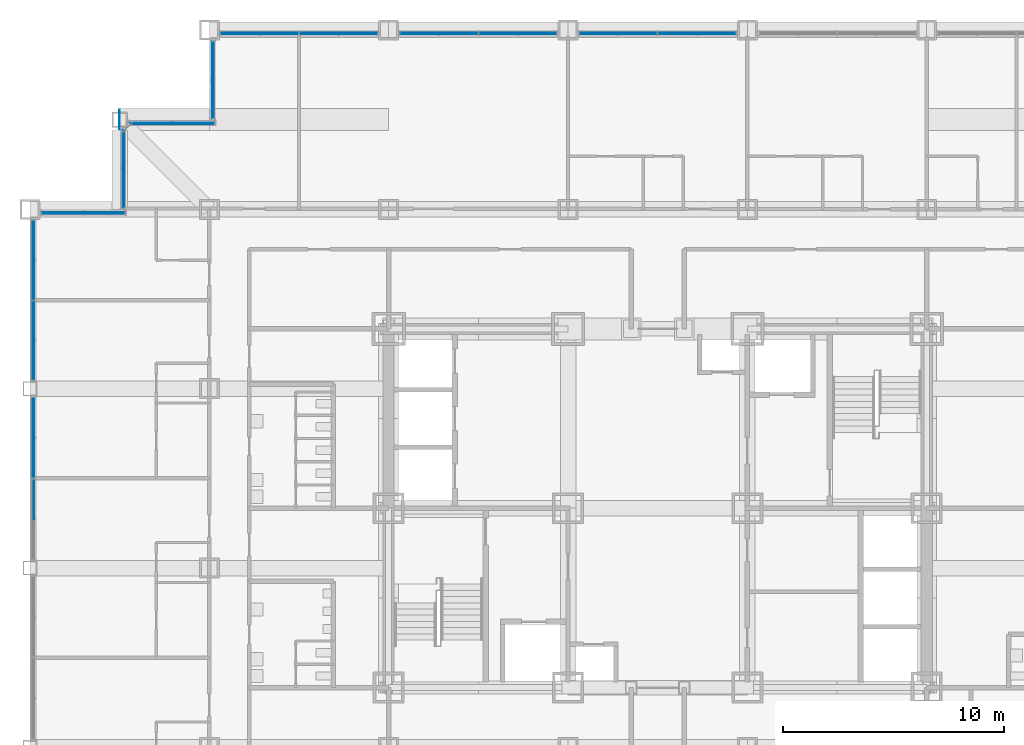
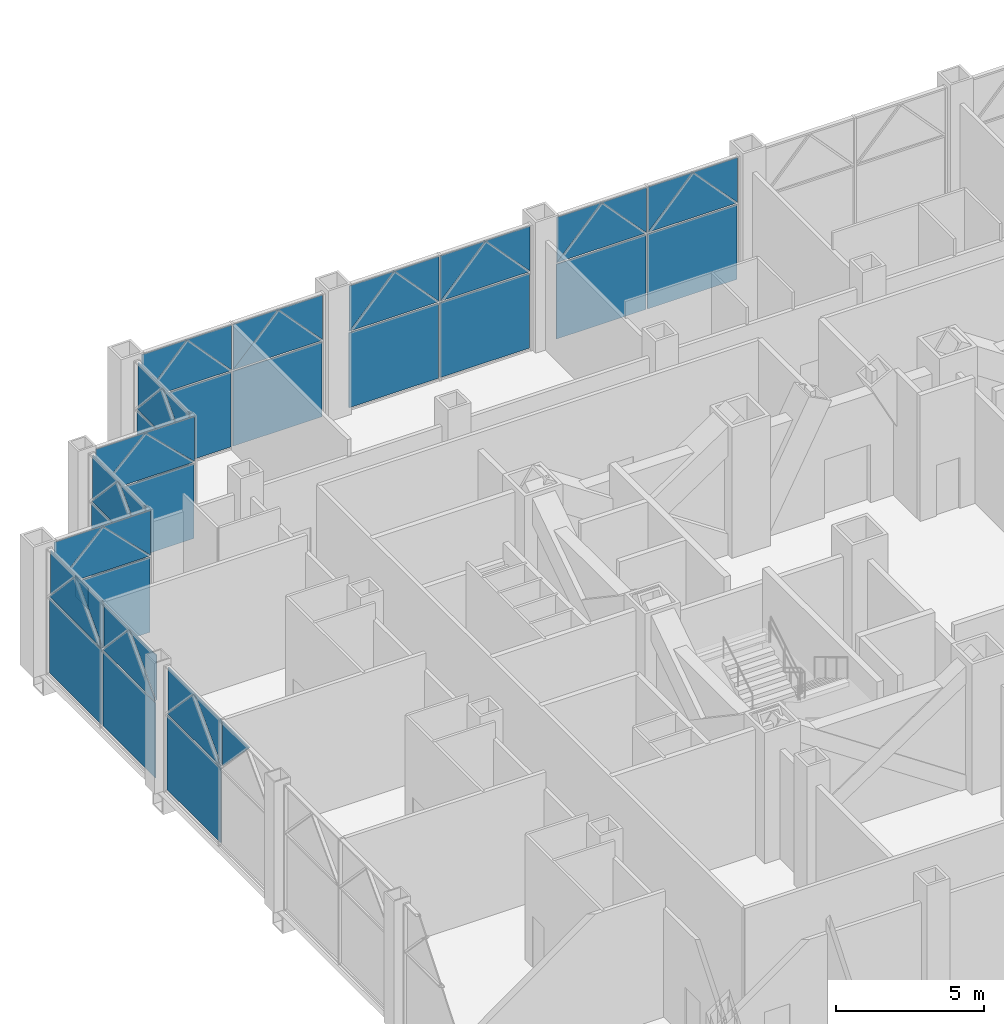
# One storey, part 13 of 26: 54 plates, 9 elements without a shape of their own.
"""IFC4 building model written with IfcOpenShell, lengths in metres."""

from ifc_helpers import new_model, si_unit, direction, frame, origin, origin_2d, place, context, subcontext, project, spatial, polyline, rectangle, outline, extrude, material, layer, layer_set, type_object, element, aggregate, save


model = new_model("IFC4")

# Units and contexts
model_context = context("Model", 3, precision=1e-05, world=origin(), true_north=direction((0.0, 1.0)))
body_context = subcontext(model_context, "Body", "Model", "MODEL_VIEW")
ifc_project = project(units=[si_unit("LENGTHUNIT", "METRE"), si_unit("AREAUNIT", "SQUARE_METRE"), si_unit("VOLUMEUNIT", "CUBIC_METRE"), si_unit("PLANEANGLEUNIT", "RADIAN"), si_unit("MASSUNIT", "GRAM", prefix="KILO")], contexts=[model_context])

# Site, building, storey
site_placement = place(None, origin())
site = spatial("IfcSite", under=ifc_project, at=site_placement, CompositionType="ELEMENT")
building_placement = place(site_placement, origin())
building = spatial("IfcBuilding", under=site, at=building_placement, Name="Kopane Lantern Tower", CompositionType="ELEMENT")
storey_placement = place(building_placement, frame((0.0, 0.0, 98.0)))
storey = spatial("IfcBuildingStorey", under=building, at=storey_placement, Name="L24", CompositionType="ELEMENT", Elevation=98.0)

# Curtain wall, plates
ifc_material_1 = material(Name="Aluminium and clear glass", Category="aluminium")
curtain_wall_type = type_object("IfcCurtainWallType", Name="CURTAIN WALL CW3 SKY LOBBY", PredefinedType="USERDEFINED", material=ifc_material_1)
curtain_wall_1_placement = place(storey_placement, origin())
curtain_wall_1 = element("IfcCurtainWall", 1, at=curtain_wall_1_placement, inside=storey, type_object=curtain_wall_type, Name="Curtain wall CW3 N L24", ObjectType="CURTAIN WALL", PredefinedType="USERDEFINED")
ifc_material_2 = material(Name="Insulated clear glass unit", Category="glass")
ifc_layer_1 = layer(ifc_material_2, 0.033935546875)
ifc_layer_set_1 = layer_set([ifc_layer_1], Name="CURTAIN PANEL CW3-P 34")
plate_type_1 = type_object("IfcPlateType", Name="CURTAIN PANEL CW3-P 34", PredefinedType="CURTAIN_PANEL", material=ifc_layer_set_1)
plate_1_placement = place(storey_placement, frame((30.1298828125, 53.85009765625, 0.070068359375), z_axis=(0.0, 0.0, 1.0), x_axis=(-1.0, 0.0, 0.0)))
plate_1 = element("IfcPlate", 2, at=plate_1_placement, type_object=plate_type_1, Name="CW3 panel 1.1", PredefinedType="CURTAIN_PANEL", context=body_context, shape_type="SweptSolid", body=[
    extrude(rectangle(XDim=3.489990234375, YDim=0.033935546875, at=origin_2d()), origin(), (0.0, 0.0, 1.0), 3.0849609375),
])
plate_2_placement = place(storey_placement, frame((26.570068359375, 53.85009765625, 0.070068359375), z_axis=(0.0, 0.0, 1.0), x_axis=(-1.0, 0.0, 0.0)))
plate_2 = element("IfcPlate", 3, at=plate_2_placement, type_object=plate_type_1, Name="CW3 panel 2.1", PredefinedType="CURTAIN_PANEL", context=body_context, shape_type="SweptSolid", body=[
    extrude(rectangle(XDim=3.489990234375, YDim=0.033935546875, at=origin_2d()), origin(), (0.0, 0.0, 1.0), 3.0849609375),
])
plate_3_placement = place(storey_placement, frame((31.875, 53.85009765625, 3.22509765625), z_axis=(0.0, 0.0, 1.0), x_axis=(-1.0, 0.0, 0.0)))
plate_3 = element("IfcPlate", 4, at=plate_3_placement, type_object=plate_type_1, Name="CW3 lancet panel 1", PredefinedType="CURTAIN_PANEL", context=body_context, shape_type="SweptSolid", body=[
    extrude(outline(polyline([(0.0, 0.0), (3.489990234375, 0.0), (3.489990234375, 0.0009765625), (1.7451171875, 1.90380859375), (0.0, 0.0009765625), (0.0, 0.0)])), frame((0.0, 0.01708984375, 0.0), z_axis=(0.0, -1.0, 0.0), x_axis=(1.0, 0.0, 0.0)), (0.0, 0.0, 1.0), 0.033935546875),
])
plate_4_placement = place(storey_placement, frame((31.875, 53.81396484375, 5.1201171875), z_axis=(0.0, 0.0, 1.0), x_axis=(-1.0, 0.0, 0.0)))
plate_4 = element("IfcPlate", 5, at=plate_4_placement, type_object=plate_type_1, Name="CW3 spandrel panel 1L", PredefinedType="CURTAIN_PANEL", context=body_context, shape_type="SweptSolid", body=[
    extrude(outline(polyline([(0.0, 0.0), (1.7451171875, 0.0), (1.7451171875, -0.001220703125), (0.0, -1.847900390625), (0.0, 0.0)])), frame((0.0, 0.01708984375, 0.0), z_axis=(0.0, -1.0, 0.0), x_axis=(1.0, 0.0, 0.0)), (0.0, 0.0, 1.0), 0.033935546875),
])
plate_5_placement = place(storey_placement, frame((28.385009765625, 53.81396484375, 5.1201171875), z_axis=(0.0, 0.0, 1.0), x_axis=(1.0, 0.0, 0.0)))
plate_5 = element("IfcPlate", 6, at=plate_5_placement, type_object=plate_type_1, Name="CW3 spandrel panel 1R", PredefinedType="CURTAIN_PANEL", context=body_context, shape_type="SweptSolid", body=[
    extrude(outline(polyline([(0.0, 0.0), (1.744873046875, 0.0), (1.7451171875, -0.001220703125), (0.0, -1.847900390625), (0.0, 0.0)])), frame((0.0, 0.01708984375, 0.0), z_axis=(0.0, -1.0, 0.0), x_axis=(1.0, 0.0, 0.0)), (0.0, 0.0, 1.0), 0.033935546875),
])
plate_6_placement = place(storey_placement, frame((28.31494140625, 53.85009765625, 3.22509765625), z_axis=(0.0, 0.0, 1.0), x_axis=(-1.0, 0.0, 0.0)))
plate_6 = element("IfcPlate", 7, at=plate_6_placement, type_object=plate_type_1, Name="CW3 lancet panel 2", PredefinedType="CURTAIN_PANEL", context=body_context, shape_type="SweptSolid", body=[
    extrude(outline(polyline([(0.0, 0.0), (3.489990234375, 0.0), (3.489990234375, 0.0009765625), (1.7451171875, 1.90380859375), (0.0, 0.0009765625), (0.0, 0.0)])), frame((0.0, 0.01708984375, 0.0), z_axis=(0.0, -1.0, 0.0), x_axis=(1.0, 0.0, 0.0)), (0.0, 0.0, 1.0), 0.033935546875),
])
plate_7_placement = place(storey_placement, frame((28.31494140625, 53.81396484375, 5.1201171875), z_axis=(0.0, 0.0, 1.0), x_axis=(-1.0, 0.0, 0.0)))
plate_7 = element("IfcPlate", 8, at=plate_7_placement, type_object=plate_type_1, Name="CW3 spandrel panel 2L", PredefinedType="CURTAIN_PANEL", context=body_context, shape_type="SweptSolid", body=[
    extrude(outline(polyline([(0.0, 0.0), (1.744873046875, 0.0), (1.7451171875, -0.001220703125), (0.0, -1.847900390625), (0.0, 0.0)])), frame((0.0, 0.01708984375, 0.0), z_axis=(0.0, -1.0, 0.0), x_axis=(1.0, 0.0, 0.0)), (0.0, 0.0, 1.0), 0.033935546875),
])
plate_8_placement = place(storey_placement, frame((24.824951171875, 53.81396484375, 5.1201171875), z_axis=(0.0, 0.0, 1.0), x_axis=(1.0, 0.0, 0.0)))
plate_8 = element("IfcPlate", 9, at=plate_8_placement, type_object=plate_type_1, Name="CW3 spandrel panel 2R", PredefinedType="CURTAIN_PANEL", context=body_context, shape_type="SweptSolid", body=[
    extrude(outline(polyline([(0.0, 0.0), (1.7451171875, 0.0), (1.7451171875, -0.001220703125), (0.0, -1.847900390625), (0.0, 0.0)])), frame((0.0, 0.01708984375, 0.0), z_axis=(0.0, -1.0, 0.0), x_axis=(1.0, 0.0, 0.0)), (0.0, 0.0, 1.0), 0.033935546875),
])
aggregate(curtain_wall_1, [plate_1, plate_2, plate_3, plate_4, plate_5, plate_6, plate_7, plate_8])

curtain_wall_2_placement = place(storey_placement, origin())
curtain_wall_2 = element("IfcCurtainWall", 10, at=curtain_wall_2_placement, inside=storey, type_object=curtain_wall_type, Name="Curtain wall CW3 N L24", ObjectType="CURTAIN WALL", PredefinedType="USERDEFINED")
plate_9_placement = place(storey_placement, frame((22.030029296875, 53.85009765625, 0.070068359375), z_axis=(0.0, 0.0, 1.0), x_axis=(-1.0, 0.0, 0.0)))
plate_9 = element("IfcPlate", 11, at=plate_9_placement, type_object=plate_type_1, Name="CW3 panel 1.1", PredefinedType="CURTAIN_PANEL", context=body_context, shape_type="SweptSolid", body=[
    extrude(rectangle(XDim=3.489990234375, YDim=0.033935546875, at=origin_2d()), origin(), (0.0, 0.0, 1.0), 3.0849609375),
])
plate_10_placement = place(storey_placement, frame((18.469970703125, 53.85009765625, 0.070068359375), z_axis=(0.0, 0.0, 1.0), x_axis=(-1.0, 0.0, 0.0)))
plate_10 = element("IfcPlate", 12, at=plate_10_placement, type_object=plate_type_1, Name="CW3 panel 2.1", PredefinedType="CURTAIN_PANEL", context=body_context, shape_type="SweptSolid", body=[
    extrude(rectangle(XDim=3.489990234375, YDim=0.033935546875, at=origin_2d()), origin(), (0.0, 0.0, 1.0), 3.0849609375),
])
plate_11_placement = place(storey_placement, frame((23.77490234375, 53.85009765625, 3.22509765625), z_axis=(0.0, 0.0, 1.0), x_axis=(-1.0, 0.0, 0.0)))
plate_11 = element("IfcPlate", 13, at=plate_11_placement, type_object=plate_type_1, Name="CW3 lancet panel 1", PredefinedType="CURTAIN_PANEL", context=body_context, shape_type="SweptSolid", body=[
    extrude(outline(polyline([(0.0, 0.0), (3.489990234375, 0.0), (3.489990234375, 0.0009765625), (1.7451171875, 1.90380859375), (0.0, 0.0009765625), (0.0, 0.0)])), frame((0.0, 0.01708984375, 0.0), z_axis=(0.0, -1.0, 0.0), x_axis=(1.0, 0.0, 0.0)), (0.0, 0.0, 1.0), 0.033935546875),
])
plate_12_placement = place(storey_placement, frame((23.77490234375, 53.81396484375, 5.1201171875), z_axis=(0.0, 0.0, 1.0), x_axis=(-1.0, 0.0, 0.0)))
plate_12 = element("IfcPlate", 14, at=plate_12_placement, type_object=plate_type_1, Name="CW3 spandrel panel 1L", PredefinedType="CURTAIN_PANEL", context=body_context, shape_type="SweptSolid", body=[
    extrude(outline(polyline([(0.0, 0.0), (1.744873046875, 0.0), (1.7451171875, -0.001220703125), (0.0, -1.847900390625), (0.0, 0.0)])), frame((0.0, 0.01708984375, 0.0), z_axis=(0.0, -1.0, 0.0), x_axis=(1.0, 0.0, 0.0)), (0.0, 0.0, 1.0), 0.033935546875),
])
plate_13_placement = place(storey_placement, frame((20.284912109375, 53.81396484375, 5.1201171875), z_axis=(0.0, 0.0, 1.0), x_axis=(1.0, 0.0, 0.0)))
plate_13 = element("IfcPlate", 15, at=plate_13_placement, type_object=plate_type_1, Name="CW3 spandrel panel 1R", PredefinedType="CURTAIN_PANEL", context=body_context, shape_type="SweptSolid", body=[
    extrude(outline(polyline([(0.0, 0.0), (1.7451171875, 0.0), (1.7451171875, -0.001220703125), (0.0, -1.847900390625), (0.0, 0.0)])), frame((0.0, 0.01708984375, 0.0), z_axis=(0.0, -1.0, 0.0), x_axis=(1.0, 0.0, 0.0)), (0.0, 0.0, 1.0), 0.033935546875),
])
plate_14_placement = place(storey_placement, frame((20.215087890625, 53.85009765625, 3.22509765625), z_axis=(0.0, 0.0, 1.0), x_axis=(-1.0, 0.0, 0.0)))
plate_14 = element("IfcPlate", 16, at=plate_14_placement, type_object=plate_type_1, Name="CW3 lancet panel 2", PredefinedType="CURTAIN_PANEL", context=body_context, shape_type="SweptSolid", body=[
    extrude(outline(polyline([(0.0, 0.0), (3.489990234375, 0.0), (3.489990234375, 0.0009765625), (1.7451171875, 1.90380859375), (0.0, 0.0009765625), (0.0, 0.0)])), frame((0.0, 0.01708984375, 0.0), z_axis=(0.0, -1.0, 0.0), x_axis=(1.0, 0.0, 0.0)), (0.0, 0.0, 1.0), 0.033935546875),
])
plate_15_placement = place(storey_placement, frame((20.215087890625, 53.81396484375, 5.1201171875), z_axis=(0.0, 0.0, 1.0), x_axis=(-1.0, 0.0, 0.0)))
plate_15 = element("IfcPlate", 17, at=plate_15_placement, type_object=plate_type_1, Name="CW3 spandrel panel 2L", PredefinedType="CURTAIN_PANEL", context=body_context, shape_type="SweptSolid", body=[
    extrude(outline(polyline([(0.0, 0.0), (1.7451171875, 0.0), (1.7451171875, -0.001220703125), (0.0, -1.847900390625), (0.0, 0.0)])), frame((0.0, 0.01708984375, 0.0), z_axis=(0.0, -1.0, 0.0), x_axis=(1.0, 0.0, 0.0)), (0.0, 0.0, 1.0), 0.033935546875),
])
plate_16_placement = place(storey_placement, frame((16.72509765625, 53.81396484375, 5.1201171875), z_axis=(0.0, 0.0, 1.0), x_axis=(1.0, 0.0, 0.0)))
plate_16 = element("IfcPlate", 18, at=plate_16_placement, type_object=plate_type_1, Name="CW3 spandrel panel 2R", PredefinedType="CURTAIN_PANEL", context=body_context, shape_type="SweptSolid", body=[
    extrude(outline(polyline([(0.0, 0.0), (1.744873046875, 0.0), (1.7451171875, -0.001220703125), (0.0, -1.847900390625), (0.0, 0.0)])), frame((0.0, 0.01708984375, 0.0), z_axis=(0.0, -1.0, 0.0), x_axis=(1.0, 0.0, 0.0)), (0.0, 0.0, 1.0), 0.033935546875),
])
aggregate(curtain_wall_2, [plate_9, plate_10, plate_11, plate_12, plate_13, plate_14, plate_15, plate_16])

curtain_wall_3_placement = place(storey_placement, origin())
curtain_wall_3 = element("IfcCurtainWall", 19, at=curtain_wall_3_placement, inside=storey, type_object=curtain_wall_type, Name="Curtain wall CW3 N L24", ObjectType="CURTAIN WALL", PredefinedType="USERDEFINED")
plate_17_placement = place(storey_placement, frame((13.929931640625, 53.85009765625, 0.070068359375), z_axis=(0.0, 0.0, 1.0), x_axis=(-1.0, 0.0, 0.0)))
plate_17 = element("IfcPlate", 20, at=plate_17_placement, type_object=plate_type_1, Name="CW3 panel 1.1", PredefinedType="CURTAIN_PANEL", context=body_context, shape_type="SweptSolid", body=[
    extrude(rectangle(XDim=3.489990234375, YDim=0.033935546875, at=origin_2d()), origin(), (0.0, 0.0, 1.0), 3.0849609375),
])
plate_18_placement = place(storey_placement, frame((10.3701171875, 53.85009765625, 0.070068359375), z_axis=(0.0, 0.0, 1.0), x_axis=(-1.0, 0.0, 0.0)))
plate_18 = element("IfcPlate", 21, at=plate_18_placement, type_object=plate_type_1, Name="CW3 panel 2.1", PredefinedType="CURTAIN_PANEL", context=body_context, shape_type="SweptSolid", body=[
    extrude(rectangle(XDim=3.489990234375, YDim=0.033935546875, at=origin_2d()), origin(), (0.0, 0.0, 1.0), 3.0849609375),
])
plate_19_placement = place(storey_placement, frame((15.675048828125, 53.85009765625, 3.22509765625), z_axis=(0.0, 0.0, 1.0), x_axis=(-1.0, 0.0, 0.0)))
plate_19 = element("IfcPlate", 22, at=plate_19_placement, type_object=plate_type_1, Name="CW3 lancet panel 1", PredefinedType="CURTAIN_PANEL", context=body_context, shape_type="SweptSolid", body=[
    extrude(outline(polyline([(0.0, 0.0), (3.489990234375, 0.0), (3.489990234375, 0.0009765625), (1.7451171875, 1.90380859375), (0.0, 0.0009765625), (0.0, 0.0)])), frame((0.0, 0.01708984375, 0.0), z_axis=(0.0, -1.0, 0.0), x_axis=(1.0, 0.0, 0.0)), (0.0, 0.0, 1.0), 0.033935546875),
])
plate_20_placement = place(storey_placement, frame((15.675048828125, 53.81396484375, 5.1201171875), z_axis=(0.0, 0.0, 1.0), x_axis=(-1.0, 0.0, 0.0)))
plate_20 = element("IfcPlate", 23, at=plate_20_placement, type_object=plate_type_1, Name="CW3 spandrel panel 1L", PredefinedType="CURTAIN_PANEL", context=body_context, shape_type="SweptSolid", body=[
    extrude(outline(polyline([(0.0, 0.0), (1.7451171875, 0.0), (1.7451171875, -0.001220703125), (0.0, -1.847900390625), (0.0, 0.0)])), frame((0.0, 0.01708984375, 0.0), z_axis=(0.0, -1.0, 0.0), x_axis=(1.0, 0.0, 0.0)), (0.0, 0.0, 1.0), 0.033935546875),
])
plate_21_placement = place(storey_placement, frame((12.18505859375, 53.81396484375, 5.1201171875), z_axis=(0.0, 0.0, 1.0), x_axis=(1.0, 0.0, 0.0)))
plate_21 = element("IfcPlate", 24, at=plate_21_placement, type_object=plate_type_1, Name="CW3 spandrel panel 1R", PredefinedType="CURTAIN_PANEL", context=body_context, shape_type="SweptSolid", body=[
    extrude(outline(polyline([(0.0, 0.0), (1.744873046875, 0.0), (1.7451171875, -0.001220703125), (0.0, -1.847900390625), (0.0, 0.0)])), frame((0.0, 0.01708984375, 0.0), z_axis=(0.0, -1.0, 0.0), x_axis=(1.0, 0.0, 0.0)), (0.0, 0.0, 1.0), 0.033935546875),
])
plate_22_placement = place(storey_placement, frame((12.114990234375, 53.85009765625, 3.22509765625), z_axis=(0.0, 0.0, 1.0), x_axis=(-1.0, 0.0, 0.0)))
plate_22 = element("IfcPlate", 25, at=plate_22_placement, type_object=plate_type_1, Name="CW3 lancet panel 2", PredefinedType="CURTAIN_PANEL", context=body_context, shape_type="SweptSolid", body=[
    extrude(outline(polyline([(0.0, 0.0), (3.489990234375, 0.0), (3.489990234375, 0.0009765625), (1.7451171875, 1.90380859375), (0.0, 0.0009765625), (0.0, 0.0)])), frame((0.0, 0.01708984375, 0.0), z_axis=(0.0, -1.0, 0.0), x_axis=(1.0, 0.0, 0.0)), (0.0, 0.0, 1.0), 0.033935546875),
])
plate_23_placement = place(storey_placement, frame((12.114990234375, 53.81396484375, 5.1201171875), z_axis=(0.0, 0.0, 1.0), x_axis=(-1.0, 0.0, 0.0)))
plate_23 = element("IfcPlate", 26, at=plate_23_placement, type_object=plate_type_1, Name="CW3 spandrel panel 2L", PredefinedType="CURTAIN_PANEL", context=body_context, shape_type="SweptSolid", body=[
    extrude(outline(polyline([(0.0, 0.0), (1.744873046875, 0.0), (1.7451171875, -0.001220703125), (0.0, -1.847900390625), (0.0, 0.0)])), frame((0.0, 0.01708984375, 0.0), z_axis=(0.0, -1.0, 0.0), x_axis=(1.0, 0.0, 0.0)), (0.0, 0.0, 1.0), 0.033935546875),
])
plate_24_placement = place(storey_placement, frame((8.625, 53.81396484375, 5.1201171875), z_axis=(0.0, 0.0, 1.0), x_axis=(1.0, 0.0, 0.0)))
plate_24 = element("IfcPlate", 27, at=plate_24_placement, type_object=plate_type_1, Name="CW3 spandrel panel 2R", PredefinedType="CURTAIN_PANEL", context=body_context, shape_type="SweptSolid", body=[
    extrude(outline(polyline([(0.0, 0.0), (1.7451171875, 0.0), (1.7451171875, -0.001220703125), (0.0, -1.847900390625), (0.0, 0.0)])), frame((0.0, 0.01708984375, 0.0), z_axis=(0.0, -1.0, 0.0), x_axis=(1.0, 0.0, 0.0)), (0.0, 0.0, 1.0), 0.033935546875),
])
aggregate(curtain_wall_3, [plate_17, plate_18, plate_19, plate_20, plate_21, plate_22, plate_23, plate_24])

curtain_wall_4_placement = place(storey_placement, origin())
curtain_wall_4 = element("IfcCurtainWall", 28, at=curtain_wall_4_placement, inside=storey, type_object=curtain_wall_type, Name="Curtain wall CW3 W L24", ObjectType="CURTAIN WALL", PredefinedType="USERDEFINED")
plate_25_placement = place(storey_placement, frame((8.25, 51.74755859375, 0.070068359375), z_axis=(0.0, 0.0, 1.0), x_axis=(0.0, -1.0, 0.0)))
plate_25 = element("IfcPlate", 29, at=plate_25_placement, type_object=plate_type_1, Name="CW3 panel 1.1", PredefinedType="CURTAIN_PANEL", context=body_context, shape_type="SweptSolid", body=[
    extrude(rectangle(XDim=3.455078125, YDim=0.033935546875, at=origin_2d()), origin(), (0.0, 0.0, 1.0), 3.0849609375),
])
plate_26_placement = place(storey_placement, frame((8.25, 53.47509765625, 3.22509765625), z_axis=(0.0, 0.0, 1.0), x_axis=(0.0, -1.0, 0.0)))
plate_26 = element("IfcPlate", 30, at=plate_26_placement, type_object=plate_type_1, Name="CW3 lancet panel 1", PredefinedType="CURTAIN_PANEL", context=body_context, shape_type="SweptSolid", body=[
    extrude(outline(polyline([(0.0, 0.0), (3.455078125, 0.0), (3.455078125, 0.0009765625), (1.7275390625, 1.905029296875), (0.0, 0.0009765625), (0.0, 0.0)])), frame((0.0, 0.01708984375, 0.0), z_axis=(0.0, -1.0, 0.0), x_axis=(1.0, 0.0, 0.0)), (0.0, 0.0, 1.0), 0.033935546875),
])
plate_27_placement = place(storey_placement, frame((8.285888671875, 53.47509765625, 5.1201171875), z_axis=(0.0, 0.0, 1.0), x_axis=(0.0, -1.0, 0.0)))
plate_27 = element("IfcPlate", 31, at=plate_27_placement, type_object=plate_type_1, Name="CW3 spandrel panel 1L", PredefinedType="CURTAIN_PANEL", context=body_context, shape_type="SweptSolid", body=[
    extrude(outline(polyline([(0.0, 0.0), (1.7275390625, 0.0), (1.7275390625, -0.001220703125), (0.0, -1.84814453125), (0.0, 0.0)])), frame((0.0, 0.01708984375, 0.0), z_axis=(0.0, -1.0, 0.0), x_axis=(1.0, 0.0, 0.0)), (0.0, 0.0, 1.0), 0.033935546875),
])
plate_28_placement = place(storey_placement, frame((8.285888671875, 50.02001953125, 5.1201171875), z_axis=(0.0, 0.0, 1.0), x_axis=(0.0, 1.0, 0.0)))
plate_28 = element("IfcPlate", 32, at=plate_28_placement, type_object=plate_type_1, Name="CW3 spandrel panel 1R", PredefinedType="CURTAIN_PANEL", context=body_context, shape_type="SweptSolid", body=[
    extrude(outline(polyline([(0.0, 0.0), (1.7275390625, 0.0), (1.7275390625, -0.001220703125), (0.0, -1.84814453125), (0.0, 0.0)])), frame((0.0, 0.01708984375, 0.0), z_axis=(0.0, -1.0, 0.0), x_axis=(1.0, 0.0, 0.0)), (0.0, 0.0, 1.0), 0.033935546875),
])
aggregate(curtain_wall_4, [plate_25, plate_26, plate_27, plate_28])

curtain_wall_5_placement = place(storey_placement, origin())
curtain_wall_5 = element("IfcCurtainWall", 33, at=curtain_wall_5_placement, inside=storey, type_object=curtain_wall_type, Name="Curtain wall CW3 N L24", ObjectType="CURTAIN WALL", PredefinedType="USERDEFINED")
plate_29_placement = place(storey_placement, frame((6.402587890625, 49.800048828125, 0.070068359375), z_axis=(0.0, 0.0, 1.0), x_axis=(-1.0, 0.0, 0.0)))
plate_29 = element("IfcPlate", 34, at=plate_29_placement, type_object=plate_type_1, Name="CW3 panel 1.1", PredefinedType="CURTAIN_PANEL", context=body_context, shape_type="SweptSolid", body=[
    extrude(rectangle(XDim=3.85498046875, YDim=0.033935546875, at=origin_2d()), origin(), (0.0, 0.0, 1.0), 3.0849609375),
])
plate_30_placement = place(storey_placement, frame((8.330078125, 49.800048828125, 3.22509765625), z_axis=(0.0, 0.0, 1.0), x_axis=(-1.0, 0.0, 0.0)))
plate_30 = element("IfcPlate", 35, at=plate_30_placement, type_object=plate_type_1, Name="CW3 lancet panel 1", PredefinedType="CURTAIN_PANEL", context=body_context, shape_type="SweptSolid", body=[
    extrude(outline(polyline([(0.0, 0.0), (3.85498046875, 0.0), (3.85498046875, 0.0009765625), (1.927490234375, 1.89306640625), (0.0, 0.0009765625), (0.0, 0.0)])), frame((0.0, 0.01708984375, 0.0), z_axis=(0.0, -1.0, 0.0), x_axis=(1.0, 0.0, 0.0)), (0.0, 0.0, 1.0), 0.033935546875),
])
plate_31_placement = place(storey_placement, frame((8.330078125, 49.763916015625, 5.1201171875), z_axis=(0.0, 0.0, 1.0), x_axis=(-1.0, 0.0, 0.0)))
plate_31 = element("IfcPlate", 36, at=plate_31_placement, type_object=plate_type_1, Name="CW3 spandrel panel 1L", PredefinedType="CURTAIN_PANEL", context=body_context, shape_type="SweptSolid", body=[
    extrude(outline(polyline([(0.0, 0.0), (1.927490234375, 0.0), (1.927490234375, -0.001220703125), (0.0, -1.84521484375), (0.0, 0.0)])), frame((0.0, 0.01708984375, 0.0), z_axis=(0.0, -1.0, 0.0), x_axis=(1.0, 0.0, 0.0)), (0.0, 0.0, 1.0), 0.033935546875),
])
plate_32_placement = place(storey_placement, frame((4.47509765625, 49.763916015625, 5.1201171875), z_axis=(0.0, 0.0, 1.0), x_axis=(1.0, 0.0, 0.0)))
plate_32 = element("IfcPlate", 37, at=plate_32_placement, type_object=plate_type_1, Name="CW3 spandrel panel 1R", PredefinedType="CURTAIN_PANEL", context=body_context, shape_type="SweptSolid", body=[
    extrude(outline(polyline([(0.0, 0.0), (1.927490234375, 0.0), (1.927490234375, -0.001220703125), (0.0, -1.84521484375), (0.0, 0.0)])), frame((0.0, 0.01708984375, 0.0), z_axis=(0.0, -1.0, 0.0), x_axis=(1.0, 0.0, 0.0)), (0.0, 0.0, 1.0), 0.033935546875),
])
aggregate(curtain_wall_5, [plate_29, plate_30, plate_31, plate_32])

curtain_wall_6_placement = place(storey_placement, origin())
curtain_wall_6 = element("IfcCurtainWall", 38, at=curtain_wall_6_placement, inside=storey, type_object=curtain_wall_type, Name="Curtain wall CW3 W L24", ObjectType="CURTAIN WALL", PredefinedType="USERDEFINED")
plate_33_placement = place(storey_placement, frame((4.199951171875, 47.74755859375, 0.070068359375), z_axis=(0.0, 0.0, 1.0), x_axis=(0.0, -1.0, 0.0)))
plate_33 = element("IfcPlate", 39, at=plate_33_placement, type_object=plate_type_1, Name="CW3 panel 1.1", PredefinedType="CURTAIN_PANEL", context=body_context, shape_type="SweptSolid", body=[
    extrude(rectangle(XDim=3.554931640625, YDim=0.033935546875, at=origin_2d()), origin(), (0.0, 0.0, 1.0), 3.0849609375),
])
plate_34_placement = place(storey_placement, frame((4.199951171875, 49.52490234375, 3.22509765625), z_axis=(0.0, 0.0, 1.0), x_axis=(0.0, -1.0, 0.0)))
plate_34 = element("IfcPlate", 40, at=plate_34_placement, type_object=plate_type_1, Name="CW3 lancet panel 1", PredefinedType="CURTAIN_PANEL", context=body_context, shape_type="SweptSolid", body=[
    extrude(outline(polyline([(0.0, 0.0), (3.554931640625, 0.0), (3.554931640625, 0.0009765625), (1.777587890625, 1.90185546875), (0.0, 0.0009765625), (0.0, 0.0)])), frame((0.0, 0.01708984375, 0.0), z_axis=(0.0, -1.0, 0.0), x_axis=(1.0, 0.0, 0.0)), (0.0, 0.0, 1.0), 0.033935546875),
])
plate_35_placement = place(storey_placement, frame((4.236083984375, 49.52490234375, 5.1201171875), z_axis=(0.0, 0.0, 1.0), x_axis=(0.0, -1.0, 0.0)))
plate_35 = element("IfcPlate", 41, at=plate_35_placement, type_object=plate_type_1, Name="CW3 spandrel panel 1L", PredefinedType="CURTAIN_PANEL", context=body_context, shape_type="SweptSolid", body=[
    extrude(outline(polyline([(0.0, 0.0), (1.77734375, 0.0), (1.777587890625, -0.001220703125), (0.0, -1.847412109375), (0.0, 0.0)])), frame((0.0, 0.01708984375, 0.0), z_axis=(0.0, -1.0, 0.0), x_axis=(1.0, 0.0, 0.0)), (0.0, 0.0, 1.0), 0.033935546875),
])
plate_36_placement = place(storey_placement, frame((4.236083984375, 45.969970703125, 5.1201171875), z_axis=(0.0, 0.0, 1.0), x_axis=(0.0, 1.0, 0.0)))
plate_36 = element("IfcPlate", 42, at=plate_36_placement, type_object=plate_type_1, Name="CW3 spandrel panel 1R", PredefinedType="CURTAIN_PANEL", context=body_context, shape_type="SweptSolid", body=[
    extrude(outline(polyline([(0.0, 0.0), (1.777587890625, 0.0), (1.777587890625, -0.001220703125), (0.0, -1.847412109375), (0.0, 0.0)])), frame((0.0, 0.01708984375, 0.0), z_axis=(0.0, -1.0, 0.0), x_axis=(1.0, 0.0, 0.0)), (0.0, 0.0, 1.0), 0.033935546875),
])
aggregate(curtain_wall_6, [plate_33, plate_34, plate_35, plate_36])

curtain_wall_7_placement = place(storey_placement, origin())
curtain_wall_7 = element("IfcCurtainWall", 43, at=curtain_wall_7_placement, inside=storey, type_object=curtain_wall_type, Name="Curtain wall CW3 N L24", ObjectType="CURTAIN WALL", PredefinedType="USERDEFINED")
plate_37_placement = place(storey_placement, frame((2.402587890625, 45.75, 0.070068359375), z_axis=(0.0, 0.0, 1.0), x_axis=(-1.0, 0.0, 0.0)))
plate_37 = element("IfcPlate", 44, at=plate_37_placement, type_object=plate_type_1, Name="CW3 panel 1.1", PredefinedType="CURTAIN_PANEL", context=body_context, shape_type="SweptSolid", body=[
    extrude(rectangle(XDim=3.7548828125, YDim=0.033935546875, at=origin_2d()), origin(), (0.0, 0.0, 1.0), 3.0849609375),
])
plate_38_placement = place(storey_placement, frame((4.280029296875, 45.75, 3.22509765625), z_axis=(0.0, 0.0, 1.0), x_axis=(-1.0, 0.0, 0.0)))
plate_38 = element("IfcPlate", 45, at=plate_38_placement, type_object=plate_type_1, Name="CW3 lancet panel 1", PredefinedType="CURTAIN_PANEL", context=body_context, shape_type="SweptSolid", body=[
    extrude(outline(polyline([(0.0, 0.0), (3.755126953125, 0.0), (3.7548828125, 0.0009765625), (1.87744140625, 1.89599609375), (0.0, 0.0009765625), (0.0, 0.0)])), frame((0.0, 0.01708984375, 0.0), z_axis=(0.0, -1.0, 0.0), x_axis=(1.0, 0.0, 0.0)), (0.0, 0.0, 1.0), 0.033935546875),
])
plate_39_placement = place(storey_placement, frame((4.280029296875, 45.714111328125, 5.1201171875), z_axis=(0.0, 0.0, 1.0), x_axis=(-1.0, 0.0, 0.0)))
plate_39 = element("IfcPlate", 46, at=plate_39_placement, type_object=plate_type_1, Name="CW3 spandrel panel 1L", PredefinedType="CURTAIN_PANEL", context=body_context, shape_type="SweptSolid", body=[
    extrude(outline(polyline([(0.0, 0.0), (1.87744140625, 0.0), (1.87744140625, -0.001220703125), (0.0, -1.845703125), (0.0, 0.0)])), frame((0.0, 0.01708984375, 0.0), z_axis=(0.0, -1.0, 0.0), x_axis=(1.0, 0.0, 0.0)), (0.0, 0.0, 1.0), 0.033935546875),
])
plate_40_placement = place(storey_placement, frame((0.52490234375, 45.714111328125, 5.1201171875), z_axis=(0.0, 0.0, 1.0), x_axis=(1.0, 0.0, 0.0)))
plate_40 = element("IfcPlate", 47, at=plate_40_placement, type_object=plate_type_1, Name="CW3 spandrel panel 1R", PredefinedType="CURTAIN_PANEL", context=body_context, shape_type="SweptSolid", body=[
    extrude(outline(polyline([(0.0, 0.0), (1.877685546875, 0.0), (1.87744140625, -0.001220703125), (0.0, -1.845703125), (0.0, 0.0)])), frame((0.0, 0.01708984375, 0.0), z_axis=(0.0, -1.0, 0.0), x_axis=(1.0, 0.0, 0.0)), (0.0, 0.0, 1.0), 0.033935546875),
])
aggregate(curtain_wall_7, [plate_37, plate_38, plate_39, plate_40])

curtain_wall_8_placement = place(storey_placement, origin())
curtain_wall_8 = element("IfcCurtainWall", 48, at=curtain_wall_8_placement, inside=storey, type_object=curtain_wall_type, Name="Curtain wall CW3 W L24", ObjectType="CURTAIN WALL", PredefinedType="USERDEFINED")
plate_41_placement = place(storey_placement, frame((0.14990234375, 43.5986328125, 0.070068359375), z_axis=(0.0, 0.0, 1.0), x_axis=(0.0, -1.0, 0.0)))
plate_41 = element("IfcPlate", 49, at=plate_41_placement, type_object=plate_type_1, Name="CW3 panel 1.1", PredefinedType="CURTAIN_PANEL", context=body_context, shape_type="SweptSolid", body=[
    extrude(rectangle(XDim=3.552490234375, YDim=0.033935546875, at=origin_2d()), origin(), (0.0, 0.0, 1.0), 3.0849609375),
])
plate_42_placement = place(storey_placement, frame((0.14990234375, 39.976318359375, 0.070068359375), z_axis=(0.0, 0.0, 1.0), x_axis=(0.0, -1.0, 0.0)))
plate_42 = element("IfcPlate", 50, at=plate_42_placement, type_object=plate_type_1, Name="CW3 panel 2.1", PredefinedType="CURTAIN_PANEL", context=body_context, shape_type="SweptSolid", body=[
    extrude(rectangle(XDim=3.552490234375, YDim=0.033935546875, at=origin_2d()), origin(), (0.0, 0.0, 1.0), 3.0849609375),
])
plate_43_placement = place(storey_placement, frame((0.14990234375, 45.375, 3.22509765625), z_axis=(0.0, 0.0, 1.0), x_axis=(0.0, -1.0, 0.0)))
plate_43 = element("IfcPlate", 51, at=plate_43_placement, type_object=plate_type_1, Name="CW3 lancet panel 1", PredefinedType="CURTAIN_PANEL", context=body_context, shape_type="SweptSolid", body=[
    extrude(outline(polyline([(0.0, 0.0), (3.552490234375, 0.0), (3.552490234375, 0.0009765625), (1.776123046875, 1.90185546875), (0.0, 0.0009765625), (0.0, 0.0)])), frame((0.0, 0.01708984375, 0.0), z_axis=(0.0, -1.0, 0.0), x_axis=(1.0, 0.0, 0.0)), (0.0, 0.0, 1.0), 0.033935546875),
])
plate_44_placement = place(storey_placement, frame((0.18603515625, 45.375, 5.1201171875), z_axis=(0.0, 0.0, 1.0), x_axis=(0.0, -1.0, 0.0)))
plate_44 = element("IfcPlate", 52, at=plate_44_placement, type_object=plate_type_1, Name="CW3 spandrel panel 1L", PredefinedType="CURTAIN_PANEL", context=body_context, shape_type="SweptSolid", body=[
    extrude(outline(polyline([(0.0, 0.0), (1.776123046875, 0.0), (1.776123046875, -0.001220703125), (0.0, -1.847412109375), (0.0, 0.0)])), frame((0.0, 0.01708984375, 0.0), z_axis=(0.0, -1.0, 0.0), x_axis=(1.0, 0.0, 0.0)), (0.0, 0.0, 1.0), 0.033935546875),
])
plate_45_placement = place(storey_placement, frame((0.18603515625, 41.822509765625, 5.1201171875), z_axis=(0.0, 0.0, 1.0), x_axis=(0.0, 1.0, 0.0)))
plate_45 = element("IfcPlate", 53, at=plate_45_placement, type_object=plate_type_1, Name="CW3 spandrel panel 1R", PredefinedType="CURTAIN_PANEL", context=body_context, shape_type="SweptSolid", body=[
    extrude(outline(polyline([(0.0, 0.0), (1.7763671875, 0.0), (1.776123046875, -0.001220703125), (0.0, -1.847412109375), (0.0, 0.0)])), frame((0.0, 0.01708984375, 0.0), z_axis=(0.0, -1.0, 0.0), x_axis=(1.0, 0.0, 0.0)), (0.0, 0.0, 1.0), 0.033935546875),
])
plate_46_placement = place(storey_placement, frame((0.14990234375, 41.75244140625, 3.22509765625), z_axis=(0.0, 0.0, 1.0), x_axis=(0.0, -1.0, 0.0)))
plate_46 = element("IfcPlate", 54, at=plate_46_placement, type_object=plate_type_1, Name="CW3 lancet panel 2", PredefinedType="CURTAIN_PANEL", context=body_context, shape_type="SweptSolid", body=[
    extrude(outline(polyline([(0.0, 0.0), (3.552490234375, 0.0), (3.552490234375, 0.0009765625), (1.776123046875, 1.90185546875), (0.0, 0.0009765625), (0.0, 0.0)])), frame((0.0, 0.01708984375, 0.0), z_axis=(0.0, -1.0, 0.0), x_axis=(1.0, 0.0, 0.0)), (0.0, 0.0, 1.0), 0.033935546875),
])
plate_47_placement = place(storey_placement, frame((0.18603515625, 41.75244140625, 5.1201171875), z_axis=(0.0, 0.0, 1.0), x_axis=(0.0, -1.0, 0.0)))
plate_47 = element("IfcPlate", 55, at=plate_47_placement, type_object=plate_type_1, Name="CW3 spandrel panel 2L", PredefinedType="CURTAIN_PANEL", context=body_context, shape_type="SweptSolid", body=[
    extrude(outline(polyline([(0.0, 0.0), (1.776123046875, 0.0), (1.776123046875, -0.001220703125), (0.0, -1.847412109375), (0.0, 0.0)])), frame((0.0, 0.01708984375, 0.0), z_axis=(0.0, -1.0, 0.0), x_axis=(1.0, 0.0, 0.0)), (0.0, 0.0, 1.0), 0.033935546875),
])
plate_48_placement = place(storey_placement, frame((0.18603515625, 38.199951171875, 5.1201171875), z_axis=(0.0, 0.0, 1.0), x_axis=(0.0, 1.0, 0.0)))
plate_48 = element("IfcPlate", 56, at=plate_48_placement, type_object=plate_type_1, Name="CW3 spandrel panel 2R", PredefinedType="CURTAIN_PANEL", context=body_context, shape_type="SweptSolid", body=[
    extrude(outline(polyline([(0.0, 0.0), (1.7763671875, 0.0), (1.776123046875, -0.001220703125), (0.0, -1.847412109375), (0.0, 0.0)])), frame((0.0, 0.01708984375, 0.0), z_axis=(0.0, -1.0, 0.0), x_axis=(1.0, 0.0, 0.0)), (0.0, 0.0, 1.0), 0.033935546875),
])
aggregate(curtain_wall_8, [plate_41, plate_42, plate_43, plate_44, plate_45, plate_46, plate_47, plate_48])

curtain_wall_9_placement = place(storey_placement, origin())
curtain_wall_9 = element("IfcCurtainWall", 57, at=curtain_wall_9_placement, inside=storey, type_object=curtain_wall_type, Name="Curtain wall CW3 W L24", ObjectType="CURTAIN WALL", PredefinedType="USERDEFINED")
plate_49_placement = place(storey_placement, frame((0.14990234375, 35.592529296875, 0.070068359375), z_axis=(0.0, 0.0, 1.0), x_axis=(0.0, -1.0, 0.0)))
plate_49 = element("IfcPlate", 58, at=plate_49_placement, type_object=plate_type_1, Name="CW3 panel 1.1", PredefinedType="CURTAIN_PANEL", context=body_context, shape_type="SweptSolid", body=[
    extrude(rectangle(XDim=3.614990234375, YDim=0.033935546875, at=origin_2d()), origin(), (0.0, 0.0, 1.0), 3.0849609375),
])
plate_50_placement = place(storey_placement, frame((0.14990234375, 37.39990234375, 3.22509765625), z_axis=(0.0, 0.0, 1.0), x_axis=(0.0, -1.0, 0.0)))
plate_50 = element("IfcPlate", 59, at=plate_50_placement, type_object=plate_type_1, Name="CW3 lancet panel 1", PredefinedType="CURTAIN_PANEL", context=body_context, shape_type="SweptSolid", body=[
    extrude(outline(polyline([(0.0, 0.0), (3.614990234375, 0.0), (3.614990234375, 0.0009765625), (1.8076171875, 1.89990234375), (0.0, 0.0009765625), (0.0, 0.0)])), frame((0.0, 0.01708984375, 0.0), z_axis=(0.0, -1.0, 0.0), x_axis=(1.0, 0.0, 0.0)), (0.0, 0.0, 1.0), 0.033935546875),
])
plate_51_placement = place(storey_placement, frame((0.18603515625, 37.39990234375, 5.1201171875), z_axis=(0.0, 0.0, 1.0), x_axis=(0.0, -1.0, 0.0)))
plate_51 = element("IfcPlate", 60, at=plate_51_placement, type_object=plate_type_1, Name="CW3 spandrel panel 1L", PredefinedType="CURTAIN_PANEL", context=body_context, shape_type="SweptSolid", body=[
    extrude(outline(polyline([(0.0, 0.0), (1.807373046875, 0.0), (1.8076171875, -0.001220703125), (0.0, -1.846923828125), (0.0, 0.0)])), frame((0.0, 0.01708984375, 0.0), z_axis=(0.0, -1.0, 0.0), x_axis=(1.0, 0.0, 0.0)), (0.0, 0.0, 1.0), 0.033935546875),
])
plate_52_placement = place(storey_placement, frame((0.18603515625, 33.784912109375, 5.1201171875), z_axis=(0.0, 0.0, 1.0), x_axis=(0.0, 1.0, 0.0)))
plate_52 = element("IfcPlate", 61, at=plate_52_placement, type_object=plate_type_1, Name="CW3 spandrel panel 1R", PredefinedType="CURTAIN_PANEL", context=body_context, shape_type="SweptSolid", body=[
    extrude(outline(polyline([(0.0, 0.0), (1.8076171875, 0.0), (1.8076171875, -0.001220703125), (0.0, -1.846923828125), (0.0, 0.0)])), frame((0.0, 0.01708984375, 0.0), z_axis=(0.0, -1.0, 0.0), x_axis=(1.0, 0.0, 0.0)), (0.0, 0.0, 1.0), 0.033935546875),
])
plate_53_placement = place(storey_placement, frame((0.18603515625, 33.715087890625, 5.1201171875), z_axis=(0.0, 0.0, 1.0), x_axis=(0.0, -1.0, 0.0)))
plate_53 = element("IfcPlate", 62, at=plate_53_placement, type_object=plate_type_1, Name="CW3 spandrel panel 2L", PredefinedType="CURTAIN_PANEL", context=body_context, shape_type="SweptSolid", body=[
    extrude(outline(polyline([(0.0, 0.0), (1.8076171875, 0.0), (1.8076171875, -0.001220703125), (0.0, -1.846923828125), (0.0, 0.0)])), frame((0.0, 0.01708984375, 0.0), z_axis=(0.0, -1.0, 0.0), x_axis=(1.0, 0.0, 0.0)), (0.0, 0.0, 1.0), 0.033935546875),
])
aggregate(curtain_wall_9, [plate_49, plate_50, plate_51, plate_52, plate_53])

# Plate
ifc_material_3 = material(Name="Steel S355JR", Category="steel")
ifc_layer_2 = layer(ifc_material_3, 0.02490234375)
ifc_layer_set_2 = layer_set([ifc_layer_2], Name="STEEL END CAP PLATE PL25")
plate_type_2 = type_object("IfcPlateType", Name="STEEL END CAP PLATE PL25", PredefinedType="USERDEFINED", material=ifc_layer_set_2)
plate_54_placement = place(storey_placement, frame((4.049560546875, 49.949951171875, -1.1904296875), z_axis=(0.0, 0.0, 1.0), x_axis=(1.0, 0.0, 0.0)))
element("IfcPlate", 63, at=plate_54_placement, inside=storey, type_object=plate_type_2, Name="Transfer beam end cap plate L24", ObjectType="PLATE", PredefinedType="USERDEFINED", context=body_context, shape_type="SweptSolid", body=[
    extrude(rectangle(XDim=0.02490234375, YDim=0.881103515625, at=origin_2d()), origin(), (0.0, 0.0, 1.0), 0.881103515625),
])

save(model, "model.ifc")
